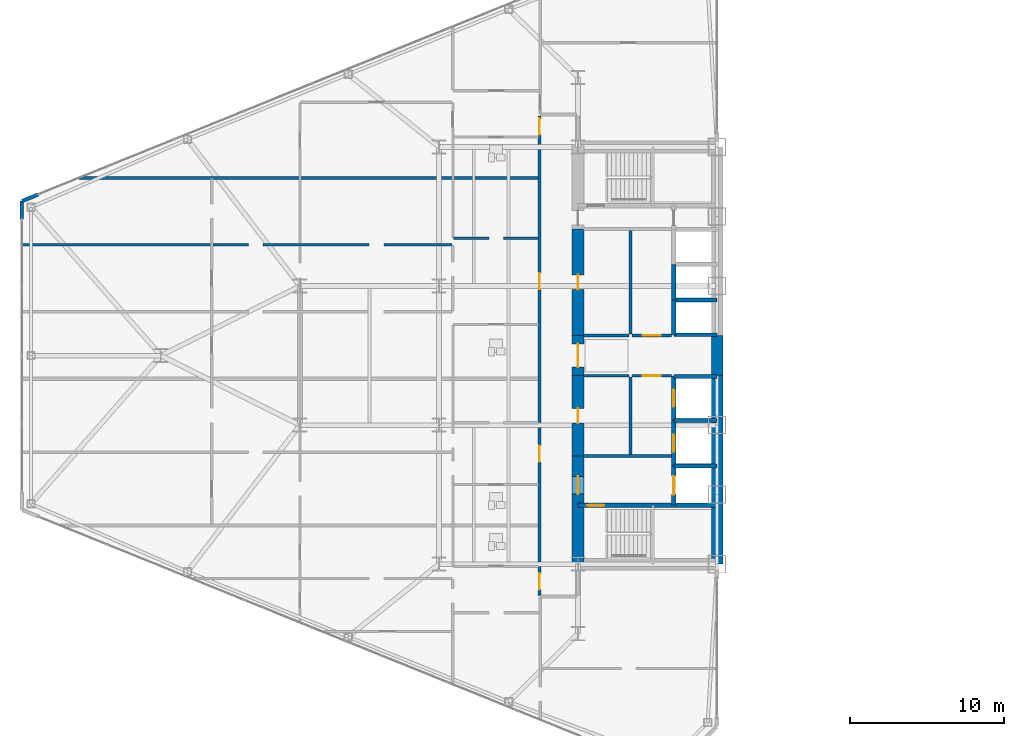
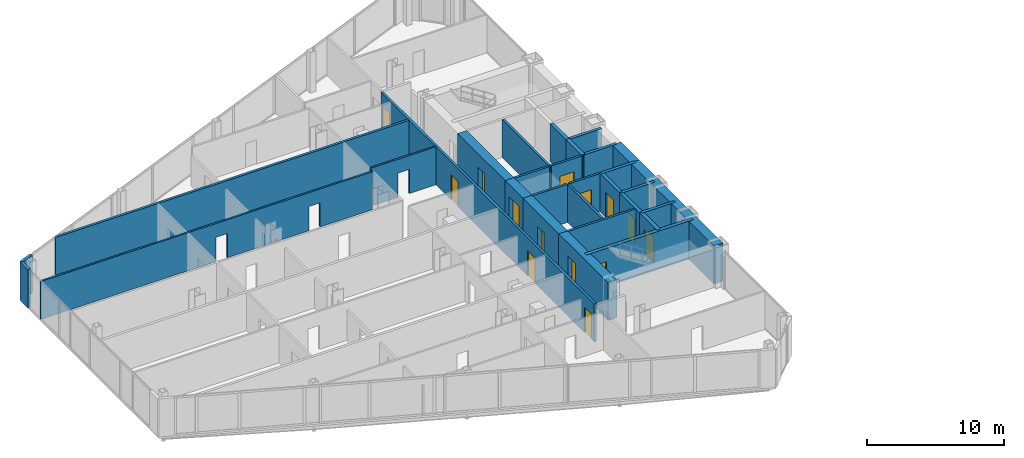
# One storey, part 18 of 25: 30 walls, 14 doors, 17 openings.
"""IFC4 building model written with IfcOpenShell, lengths in metres."""

from ifc_helpers import new_model, si_unit, direction, frame, frame_2d, origin, place, context, subcontext, project, spatial, rectangle, extrude, source, transform, mapped, material, layer, layer_set, type_object, type_shapes, element, fill, save


model = new_model("IFC4")

# Units and contexts
model_context = context("Model", 3, precision=1e-05, world=origin(), true_north=direction((0.0, 1.0)))
body_context = subcontext(model_context, "Body", "Model", "MODEL_VIEW")
ifc_project = project(units=[si_unit("LENGTHUNIT", "METRE"), si_unit("AREAUNIT", "SQUARE_METRE"), si_unit("VOLUMEUNIT", "CUBIC_METRE"), si_unit("PLANEANGLEUNIT", "RADIAN"), si_unit("MASSUNIT", "GRAM", prefix="KILO")], contexts=[model_context])

# Site, building, storey
site_placement = place(None, origin())
site = spatial("IfcSite", under=ifc_project, at=site_placement, CompositionType="ELEMENT")
building_placement = place(site_placement, origin())
building = spatial("IfcBuilding", under=site, at=building_placement, Name="Seokmaru Belvedere", CompositionType="ELEMENT")
storey_placement = place(building_placement, frame((0.0, 0.0, 40.5)))
storey = spatial("IfcBuildingStorey", under=building, at=storey_placement, Name="L10", CompositionType="ELEMENT", Elevation=40.5)

# Wall, openings
ifc_material_1 = material(Name="Fire-Rated Gypsum Shaftwall")
ifc_layer_1 = layer(ifc_material_1, 0.14990234375)
ifc_layer_set_1 = layer_set([ifc_layer_1], Name="Fire-Rated Gypsum Shaftwall")
wall_type_1 = type_object("IfcWallType", Name="Apartment Fire-Acoustic Room Partition 150", PredefinedType="PARTITIONING", material=ifc_layer_set_1)
wall_1_placement = place(storey_placement, frame((-72.534912109375, 7.169921875, 0.0), z_axis=(0.0, 0.0, 1.0), x_axis=(1.0, 0.0, 0.0)))
wall_1 = element("IfcWall", 1, at=wall_1_placement, inside=storey, type_object=wall_type_1, Name="L10 Interior Partition 028", PredefinedType="PARTITIONING", context=body_context, shape_type="SweptSolid", body=[
    extrude(rectangle(XDim=27.885009765625, YDim=0.14990234375, at=frame_2d((13.9423828125, 0.0))), origin(), (0.0, 0.0, 1.0), 3.3798828125),
])
opening_1_placement = place(wall_1_placement, frame((22.510009765625, 0.0, 0.0)))
element("IfcOpeningElement", 2, at=opening_1_placement, cuts=wall_1, Name="L10 Cased Opening 026", PredefinedType="OPENING", context=body_context, shape_type="SweptSolid", body=[
    extrude(rectangle(XDim=0.949951171875, YDim=2.14990234375, at=frame_2d((0.47509765625, 1.074951171875))), frame((0.0, 0.0849609375, 0.0), z_axis=(0.0, -1.0, 0.0), x_axis=(1.0, 0.0, 0.0)), (0.0, 0.0, 1.0), 0.169921875),
])
opening_2_placement = place(wall_1_placement, frame((14.7099609375, 0.0, 0.0)))
element("IfcOpeningElement", 3, at=opening_2_placement, cuts=wall_1, Name="L10 Cased Opening 030", PredefinedType="OPENING", context=body_context, shape_type="SweptSolid", body=[
    extrude(rectangle(XDim=0.949951171875, YDim=2.14990234375, at=frame_2d((0.47509765625, 1.074951171875))), frame((0.0, 0.0849609375, 0.0), z_axis=(0.0, -1.0, 0.0), x_axis=(1.0, 0.0, 0.0)), (0.0, 0.0, 1.0), 0.169921875),
])

# Wall, opening
wall_2_placement = place(storey_placement, frame((-44.550048828125, 7.60009765625, 0.0), z_axis=(0.0, 0.0, 1.0), x_axis=(1.0, 0.0, 0.0)))
wall_2 = element("IfcWall", 4, at=wall_2_placement, inside=storey, type_object=wall_type_1, Name="L10 Interior Partition 029", PredefinedType="PARTITIONING", context=body_context, shape_type="SweptSolid", body=[
    extrude(rectangle(XDim=5.5, YDim=0.14990234375, at=frame_2d((2.75, 0.0))), origin(), (0.0, 0.0, 1.0), 3.3798828125),
])
opening_3_placement = place(wall_2_placement, frame((2.27490234375, 0.0, 0.0)))
element("IfcOpeningElement", 5, at=opening_3_placement, cuts=wall_2, Name="L10 Cased Opening 022", PredefinedType="OPENING", context=body_context, shape_type="SweptSolid", body=[
    extrude(rectangle(XDim=0.949951171875, YDim=2.14990234375, at=frame_2d((0.47509765625, 1.074951171875))), frame((0.0, 0.0849609375, 0.0), z_axis=(0.0, -1.0, 0.0), x_axis=(1.0, 0.0, 0.0)), (0.0, 0.0, 1.0), 0.169921875),
])

# Walls
ifc_layer_2 = layer(ifc_material_1, 0.179931640625)
ifc_layer_set_2 = layer_set([ifc_layer_2], Name="Fire-Rated Gypsum Shaftwall")
wall_type_2 = type_object("IfcWallType", Name="Core Service Fire Partition 180", PredefinedType="PARTITIONING", material=ifc_layer_set_2)
wall_3_placement = place(storey_placement, frame((-36.14990234375, -6.5, 0.0), z_axis=(0.0, 0.0, 1.0), x_axis=(1.0, 0.0, 0.0)))
element("IfcWall", 6, at=wall_3_placement, inside=storey, type_object=wall_type_2, Name="L10 West Firefighting Lobby Partition", PredefinedType="PARTITIONING", context=body_context, shape_type="SweptSolid", body=[
    extrude(rectangle(XDim=5.699951171875, YDim=0.179931640625, at=frame_2d((2.85009765625, 0.0))), origin(), (0.0, 0.0, 1.0), 3.3798828125),
])
wall_4_placement = place(storey_placement, frame((-33.10009765625, -6.419921875, 0.0), z_axis=(0.0, 0.0, 1.0), x_axis=(0.0, 1.0, 0.0)))
element("IfcWall", 7, at=wall_4_placement, inside=storey, type_object=wall_type_2, Name="L10 West South Core Service Back Wall", PredefinedType="PARTITIONING", context=body_context, shape_type="SweptSolid", body=[
    extrude(rectangle(XDim=5.0400390625, YDim=0.179931640625, at=frame_2d((2.52001953125, 0.0))), origin(), (0.0, 0.0, 1.0), 3.3798828125),
])
wall_5_placement = place(storey_placement, frame((-33.10009765625, 1.3798828125, 0.0), z_axis=(0.0, 0.0, 1.0), x_axis=(0.0, 1.0, 0.0)))
element("IfcWall", 8, at=wall_5_placement, inside=storey, type_object=wall_type_2, Name="L10 West North Core Service Back Wall", PredefinedType="PARTITIONING", context=body_context, shape_type="SweptSolid", body=[
    extrude(rectangle(XDim=6.740234375, YDim=0.179931640625, at=frame_2d((3.3701171875, 0.0))), origin(), (0.0, 0.0, 1.0), 3.3798828125),
])

# Wall, opening, door
wall_6_placement = place(storey_placement, frame((-33.02001953125, -1.300048828125, 0.0), z_axis=(0.0, 0.0, 1.0), x_axis=(1.0, 0.0, 0.0)))
wall_6 = element("IfcWall", 9, at=wall_6_placement, inside=storey, type_object=wall_type_2, Name="L10 West South Lift Lobby Foyer Wall", PredefinedType="PARTITIONING", context=body_context, shape_type="SweptSolid", body=[
    extrude(rectangle(XDim=2.570068359375, YDim=0.179931640625, at=frame_2d((1.28515625, 0.0))), origin(), (0.0, 0.0, 1.0), 3.3798828125),
])
opening_4_placement = place(wall_6_placement, frame((0.7099609375, 0.0, 0.0)))
opening_4 = element("IfcOpeningElement", 10, at=opening_4_placement, cuts=wall_6, Name="Opening D02", PredefinedType="OPENING", context=body_context, shape_type="SweptSolid", body=[
    extrude(rectangle(XDim=1.14990234375, YDim=2.199951171875, at=frame_2d((0.574951171875, 1.10009765625))), frame((0.0, 0.10009765625, 0.0), z_axis=(0.0, -1.0, 0.0), x_axis=(1.0, 0.0, 0.0)), (0.0, 0.0, 1.0), 0.199951171875),
])
ifc_material_2 = material(Name="Fire-Rated Steel Leaf", Category="steel")
door_type_1 = type_object("IfcDoorType", Name="Lobby and Vestibule Fire Door 1150x2200", OperationType="NOTDEFINED", PredefinedType="DOOR", material=ifc_material_2)
shared_shape_1 = source(origin(), body_context, "Body", "SweptSolid", [
    extrude(rectangle(XDim=1.14990234375, YDim=2.199951171875, at=frame_2d((0.574951171875, 1.10009765625))), frame((0.0, 0.02490234375, 0.0), z_axis=(0.0, -1.0, 0.0), x_axis=(1.0, 0.0, 0.0)), (0.0, 0.0, 1.0), 0.050048828125),
])
type_shapes(door_type_1, [shared_shape_1])
door_1_placement = place(opening_4_placement, origin())
door_1 = element("IfcDoor", 11, at=door_1_placement, inside=storey, type_object=door_type_1, Name="L10 West South Core Foyer Door", OperationType="SINGLE_SWING_LEFT", OverallHeight=2.199951171875, OverallWidth=1.14990234375, PredefinedType="DOOR", context=body_context, shape_type="MappedRepresentation", body=[
    mapped(shared_shape_1, transform((0.0, 0.0, 0.0), scale=1.0)),
])
fill(opening_4, door_1)

wall_7_placement = place(storey_placement, frame((-33.02001953125, 1.300048828125, 0.0), z_axis=(0.0, 0.0, 1.0), x_axis=(1.0, 0.0, 0.0)))
wall_7 = element("IfcWall", 12, at=wall_7_placement, inside=storey, type_object=wall_type_2, Name="L10 West North Lift Lobby Foyer Wall", PredefinedType="PARTITIONING", context=body_context, shape_type="SweptSolid", body=[
    extrude(rectangle(XDim=2.570068359375, YDim=0.179931640625, at=frame_2d((1.28515625, 0.0))), origin(), (0.0, 0.0, 1.0), 3.3798828125),
])
opening_5_placement = place(wall_7_placement, frame((0.7099609375, 0.0, 0.0)))
opening_5 = element("IfcOpeningElement", 13, at=opening_5_placement, cuts=wall_7, Name="Opening D02", PredefinedType="OPENING", context=body_context, shape_type="SweptSolid", body=[
    extrude(rectangle(XDim=1.14990234375, YDim=2.199951171875, at=frame_2d((0.574951171875, 1.10009765625))), frame((0.0, 0.10009765625, 0.0), z_axis=(0.0, -1.0, 0.0), x_axis=(1.0, 0.0, 0.0)), (0.0, 0.0, 1.0), 0.199951171875),
])
door_2_placement = place(opening_5_placement, origin())
door_2 = element("IfcDoor", 14, at=door_2_placement, inside=storey, type_object=door_type_1, Name="L10 West North Lift Lobby Door", OperationType="SINGLE_SWING_RIGHT", OverallHeight=2.199951171875, OverallWidth=1.14990234375, PredefinedType="DOOR", context=body_context, shape_type="MappedRepresentation", body=[
    mapped(shared_shape_1, transform((0.0, 0.0, 0.0), scale=1.0)),
])
fill(opening_5, door_2)

# Walls
for number, where, z_axis, x_axis, name in (
    (15, (-36.14990234375, -1.300048828125, 0.0), (0.0, 0.0, 1.0), (1.0, 0.0, 0.0), "L10 West Foyer Side Wall S"),
    (16, (-36.14990234375, 1.300048828125, 0.0), (0.0, 0.0, 1.0), (1.0, 0.0, 0.0), "L10 West Foyer Side Wall N"),
):
    element("IfcWall", number, at=place(storey_placement, frame(where, z_axis=z_axis, x_axis=x_axis)), inside=storey, type_object=wall_type_2, Name=name, PredefinedType="PARTITIONING", context=body_context, shape_type="SweptSolid", body=[
        extrude(rectangle(XDim=2.949951171875, YDim=0.179931640625, at=frame_2d((1.47509765625, 0.0))), origin(), (0.0, 0.0, 1.0), 3.3798828125),
    ])
ifc_material_3 = material(Name="Concrete C50 (50 MPa)", Category="concrete")
ifc_layer_3 = layer(ifc_material_3, 0.25)
ifc_layer_set_3 = layer_set([ifc_layer_3], Name="Concrete C50 (50 MPa)")
wall_type_3 = type_object("IfcWallType", Name="Hoistway Transverse Concrete Divider Wall 250", PredefinedType="SHEAR", material=ifc_layer_set_3)
for number, where, z_axis, x_axis, name in (
    (17, (-30.300048828125, -7.14990234375, 0.0), (0.0, 0.0, 1.0), (1.0, 0.0, 0.0), "L10 West Hoistway Divider Core Wall 1"),
    (18, (-30.300048828125, -4.199951171875, 0.0), (0.0, 0.0, 1.0), (1.0, 0.0, 0.0), "L10 West Hoistway Divider Core Wall 2"),
    (19, (-30.300048828125, -1.35009765625, 0.0), (0.0, 0.0, 1.0), (1.0, 0.0, 0.0), "L10 West Hoistway Divider Core Wall 3"),
    (20, (-30.300048828125, 1.35009765625, 0.0), (0.0, 0.0, 1.0), (1.0, 0.0, 0.0), "L10 West Hoistway Divider Core Wall 4"),
    (21, (-30.300048828125, 3.60009765625, 0.0), (0.0, 0.0, 1.0), (1.0, 0.0, 0.0), "L10 West Hoistway Divider Core Wall 5"),
):
    element("IfcWall", number, at=place(storey_placement, frame(where, z_axis=z_axis, x_axis=x_axis)), inside=storey, type_object=wall_type_3, Name=name, PredefinedType="SHEAR", context=body_context, shape_type="SweptSolid", body=[
        extrude(rectangle(XDim=2.800048828125, YDim=0.25, at=frame_2d((1.39990234375, 0.0))), origin(), (0.0, 0.0, 1.0), 3.3798828125),
    ])
ifc_layer_4 = layer(ifc_material_1, 0.199951171875)
ifc_layer_set_4 = layer_set([ifc_layer_4], Name="Fire-Rated Gypsum Shaftwall")
wall_type_4 = type_object("IfcWallType", Name="Inter-Tenancy Fire Compartment Partition 200", PredefinedType="PARTITIONING", material=ifc_layer_set_4)
wall_8_placement = place(storey_placement, frame((-68.806884765625, 11.5, 0.0), z_axis=(0.0, 0.0, 1.0), x_axis=(1.0, 0.0, 0.0)))
element("IfcWall", 22, at=wall_8_placement, inside=storey, type_object=wall_type_4, Name="L10 Interior Partition 032", PredefinedType="PARTITIONING", context=body_context, shape_type="SweptSolid", body=[
    extrude(rectangle(XDim=29.726806640625, YDim=0.199951171875, at=frame_2d((14.86328125, 0.0))), origin(), (0.0, 0.0, 1.0), 3.3798828125),
])

# Wall, openings, doors
wall_9_placement = place(storey_placement, frame((-39.0, -15.514892578125, 0.0), z_axis=(0.0, 0.0, 1.0), x_axis=(0.0, 1.0, 0.0)))
wall_9 = element("IfcWall", 23, at=wall_9_placement, inside=storey, type_object=wall_type_4, Name="L10 Interior Partition 052", PredefinedType="PARTITIONING", context=body_context, shape_type="SweptSolid", body=[
    extrude(rectangle(XDim=31.02978515625, YDim=0.199951171875, at=frame_2d((15.514892578125, 0.0))), origin(), (0.0, 0.0, 1.0), 3.3798828125),
])
opening_6_placement = place(wall_9_placement, frame((0.367431640625, 0.0, 0.0)))
opening_6 = element("IfcOpeningElement", 24, at=opening_6_placement, cuts=wall_9, Name="Opening D03", PredefinedType="OPENING", context=body_context, shape_type="SweptSolid", body=[
    extrude(rectangle(XDim=1.050048828125, YDim=2.25, at=frame_2d((0.52490234375, 1.125))), frame((0.0, 0.10986328125, 0.0), z_axis=(0.0, -1.0, 0.0), x_axis=(1.0, 0.0, 0.0)), (0.0, 0.0, 1.0), 0.219970703125),
])
opening_7_placement = place(wall_9_placement, frame((8.638427734375, 0.0, 0.0)))
opening_7 = element("IfcOpeningElement", 25, at=opening_7_placement, cuts=wall_9, Name="Opening D03", PredefinedType="OPENING", context=body_context, shape_type="SweptSolid", body=[
    extrude(rectangle(XDim=1.050048828125, YDim=2.25, at=frame_2d((0.52490234375, 1.125))), frame((0.0, 0.10986328125, 0.0), z_axis=(0.0, -1.0, 0.0), x_axis=(1.0, 0.0, 0.0)), (0.0, 0.0, 1.0), 0.219970703125),
])
opening_8_placement = place(wall_9_placement, frame((19.794921875, 0.0, 0.0)))
opening_8 = element("IfcOpeningElement", 26, at=opening_8_placement, cuts=wall_9, Name="Opening D03", PredefinedType="OPENING", context=body_context, shape_type="SweptSolid", body=[
    extrude(rectangle(XDim=1.050048828125, YDim=2.25, at=frame_2d((0.52490234375, 1.125))), frame((0.0, 0.10986328125, 0.0), z_axis=(0.0, -1.0, 0.0), x_axis=(1.0, 0.0, 0.0)), (0.0, 0.0, 1.0), 0.219970703125),
])
opening_9_placement = place(wall_9_placement, frame((29.820068359375, 0.0, 0.0)))
opening_9 = element("IfcOpeningElement", 27, at=opening_9_placement, cuts=wall_9, Name="Opening D03", PredefinedType="OPENING", context=body_context, shape_type="SweptSolid", body=[
    extrude(rectangle(XDim=1.050048828125, YDim=2.25, at=frame_2d((0.52490234375, 1.125))), frame((0.0, 0.10986328125, 0.0), z_axis=(0.0, -1.0, 0.0), x_axis=(1.0, 0.0, 0.0)), (0.0, 0.0, 1.0), 0.219970703125),
])
door_type_2 = type_object("IfcDoorType", Name="Apartment Entrance Fire Door 1050x2250", OperationType="NOTDEFINED", PredefinedType="DOOR", material=ifc_material_2)
shared_shape_2 = source(origin(), body_context, "Body", "SweptSolid", [
    extrude(rectangle(XDim=1.050048828125, YDim=2.25, at=frame_2d((0.52490234375, 1.125))), frame((0.0, 0.02490234375, 0.0), z_axis=(0.0, -1.0, 0.0), x_axis=(1.0, 0.0, 0.0)), (0.0, 0.0, 1.0), 0.050048828125),
])
type_shapes(door_type_2, [shared_shape_2])
door_3_placement = place(opening_6_placement, origin())
door_3 = element("IfcDoor", 28, at=door_3_placement, inside=storey, type_object=door_type_2, Name="L10 Interior Door 001", OperationType="SINGLE_SWING_RIGHT", OverallHeight=2.25, OverallWidth=1.050048828125, PredefinedType="DOOR", context=body_context, shape_type="MappedRepresentation", body=[
    mapped(shared_shape_2, transform((0.0, 0.0, 0.0), scale=1.0)),
])
fill(opening_6, door_3)
door_4_placement = place(opening_7_placement, origin())
door_4 = element("IfcDoor", 29, at=door_4_placement, inside=storey, type_object=door_type_2, Name="L10 Interior Door 011", OperationType="SINGLE_SWING_LEFT", OverallHeight=2.25, OverallWidth=1.050048828125, PredefinedType="DOOR", context=body_context, shape_type="MappedRepresentation", body=[
    mapped(shared_shape_2, transform((0.0, 0.0, 0.0), scale=1.0)),
])
fill(opening_7, door_4)
door_5_placement = place(opening_8_placement, origin())
door_5 = element("IfcDoor", 30, at=door_5_placement, inside=storey, type_object=door_type_2, Name="L10 Interior Door 020", OperationType="SINGLE_SWING_RIGHT", OverallHeight=2.25, OverallWidth=1.050048828125, PredefinedType="DOOR", context=body_context, shape_type="MappedRepresentation", body=[
    mapped(shared_shape_2, transform((0.0, 0.0, 0.0), scale=1.0)),
])
fill(opening_8, door_5)
door_6_placement = place(opening_9_placement, origin())
door_6 = element("IfcDoor", 31, at=door_6_placement, inside=storey, type_object=door_type_2, Name="L10 Interior Door 032", OperationType="SINGLE_SWING_LEFT", OverallHeight=2.25, OverallWidth=1.050048828125, PredefinedType="DOOR", context=body_context, shape_type="MappedRepresentation", body=[
    mapped(shared_shape_2, transform((0.0, 0.0, 0.0), scale=1.0)),
])
fill(opening_9, door_6)

# Wall, opening, door
ifc_layer_5 = layer(ifc_material_3, 0.300048828125)
ifc_layer_set_5 = layer_set([ifc_layer_5], Name="Concrete C50 (50 MPa)")
wall_type_5 = type_object("IfcWallType", Name="Internal Core Stair and Hoistway Wall 300", PredefinedType="SHEAR", material=ifc_layer_set_5)
wall_10_placement = place(storey_placement, frame((-36.5, -9.699951171875, 0.0), z_axis=(0.0, 0.0, 1.0), x_axis=(1.0, 0.0, 0.0)))
wall_10 = element("IfcWall", 32, at=wall_10_placement, inside=storey, type_object=wall_type_5, Name="L10 West Stair ST-1 Enclosure Wall", PredefinedType="SHEAR", context=body_context, shape_type="SweptSolid", body=[
    extrude(rectangle(XDim=9.0, YDim=0.300048828125, at=frame_2d((4.5, 0.0))), origin(), (0.0, 0.0, 1.0), 3.3798828125),
])
opening_10_placement = place(wall_10_placement, frame((0.60009765625, 0.0, 0.0)))
opening_10 = element("IfcOpeningElement", 33, at=opening_10_placement, cuts=wall_10, Name="Opening D01", PredefinedType="OPENING", context=body_context, shape_type="SweptSolid", body=[
    extrude(rectangle(XDim=1.10009765625, YDim=2.199951171875, at=frame_2d((0.550048828125, 1.10009765625))), frame((0.0, 0.16015625, 0.0), z_axis=(0.0, -1.0, 0.0), x_axis=(1.0, 0.0, 0.0)), (0.0, 0.0, 1.0), 0.320068359375),
])
door_type_3 = type_object("IfcDoorType", Name="Special Escape Stair Smokeproof Fire Door 1100x2200", OperationType="NOTDEFINED", PredefinedType="DOOR", material=ifc_material_2)
shared_shape_3 = source(origin(), body_context, "Body", "SweptSolid", [
    extrude(rectangle(XDim=1.10009765625, YDim=2.199951171875, at=frame_2d((0.550048828125, 1.10009765625))), frame((0.0, 0.02490234375, 0.0), z_axis=(0.0, -1.0, 0.0), x_axis=(1.0, 0.0, 0.0)), (0.0, 0.0, 1.0), 0.050048828125),
])
type_shapes(door_type_3, [shared_shape_3])
door_7_placement = place(opening_10_placement, frame((1.10009765625, 0.0, 0.0), z_axis=(0.0, 0.0, 1.0), x_axis=(-1.0, 0.0, 0.0)))
door_7 = element("IfcDoor", 34, at=door_7_placement, inside=storey, type_object=door_type_3, Name="L10 West Special Escape Stair ST-1 Door", OperationType="SINGLE_SWING_LEFT", OverallHeight=2.199951171875, OverallWidth=1.10009765625, PredefinedType="DOOR", context=body_context, shape_type="MappedRepresentation", body=[
    mapped(shared_shape_3, transform((0.0, 0.0, 0.0), scale=1.0)),
])
fill(opening_10, door_7)

wall_11_placement = place(storey_placement, frame((-30.300048828125, -9.679931640625, 0.0), z_axis=(0.0, 0.0, 1.0), x_axis=(0.0, 1.0, 0.0)))
wall_11 = element("IfcWall", 35, at=wall_11_placement, inside=storey, type_object=wall_type_5, Name="L10 West Firefighting Lift Shaft Front Wall", PredefinedType="SHEAR", context=body_context, shape_type="SweptSolid", body=[
    extrude(rectangle(XDim=2.559814453125, YDim=0.300048828125, at=frame_2d((1.27978515625, 0.0))), origin(), (0.0, 0.0, 1.0), 3.3798828125),
])
opening_11_placement = place(wall_11_placement, frame((0.679931640625, 0.0, 0.0)))
opening_11 = element("IfcOpeningElement", 36, at=opening_11_placement, cuts=wall_11, Name="Opening LD2", PredefinedType="OPENING", context=body_context, shape_type="SweptSolid", body=[
    extrude(rectangle(XDim=1.199951171875, YDim=2.25, at=frame_2d((0.60009765625, 1.125))), frame((0.0, 0.16015625, 0.0), z_axis=(0.0, -1.0, 0.0), x_axis=(1.0, 0.0, 0.0)), (0.0, 0.0, 1.0), 0.320068359375),
])
ifc_material_4 = material(Name="Stainless Steel 316", Category="steel")
door_type_4 = type_object("IfcDoorType", Name="Firefighting Lift Sliding Landing Door 1200x2250", OperationType="DOUBLE_DOOR_SLIDING", PredefinedType="DOOR", material=ifc_material_4)
shared_shape_4 = source(origin(), body_context, "Body", "SweptSolid", [
    extrude(rectangle(XDim=1.199951171875, YDim=2.25, at=frame_2d((0.60009765625, 1.125))), frame((0.0, 0.02490234375, 0.0), z_axis=(0.0, -1.0, 0.0), x_axis=(1.0, 0.0, 0.0)), (0.0, 0.0, 1.0), 0.050048828125),
])
type_shapes(door_type_4, [shared_shape_4])
door_8_placement = place(opening_11_placement, origin())
door_8 = element("IfcDoor", 37, at=door_8_placement, inside=storey, type_object=door_type_4, Name="L10 West Firefighting Lift Landing Door", OperationType="DOUBLE_DOOR_SLIDING", OverallHeight=2.25, OverallWidth=1.199951171875, PredefinedType="DOOR", context=body_context, shape_type="MappedRepresentation", body=[
    mapped(shared_shape_4, transform((0.0, 0.0, 0.0), scale=1.0)),
])
fill(opening_11, door_8)

wall_12_placement = place(storey_placement, frame((-30.300048828125, -7.1201171875, 0.0), z_axis=(0.0, 0.0, 1.0), x_axis=(0.0, 1.0, 0.0)))
wall_12 = element("IfcWall", 38, at=wall_12_placement, inside=storey, type_object=wall_type_5, Name="L10 West Low-Rise Lift PL-1 Front Wall", PredefinedType="SHEAR", context=body_context, shape_type="SweptSolid", body=[
    extrude(rectangle(XDim=2.920166015625, YDim=0.300048828125, at=frame_2d((1.4599609375, 0.0))), origin(), (0.0, 0.0, 1.0), 3.3798828125),
])
opening_12_placement = place(wall_12_placement, frame((0.909912109375, 0.0, 0.0)))
opening_12 = element("IfcOpeningElement", 39, at=opening_12_placement, cuts=wall_12, Name="Opening LD1", PredefinedType="OPENING", context=body_context, shape_type="SweptSolid", body=[
    extrude(rectangle(XDim=1.10009765625, YDim=2.199951171875, at=frame_2d((0.550048828125, 1.10009765625))), frame((0.0, 0.16015625, 0.0), z_axis=(0.0, -1.0, 0.0), x_axis=(1.0, 0.0, 0.0)), (0.0, 0.0, 1.0), 0.320068359375),
])
door_type_5 = type_object("IfcDoorType", Name="Passenger Lift Sliding Landing Door 1100x2200", OperationType="DOUBLE_DOOR_SLIDING", PredefinedType="DOOR", material=ifc_material_4)
shared_shape_5 = source(origin(), body_context, "Body", "SweptSolid", [
    extrude(rectangle(XDim=1.10009765625, YDim=2.199951171875, at=frame_2d((0.550048828125, 1.10009765625))), frame((0.0, 0.02490234375, 0.0), z_axis=(0.0, -1.0, 0.0), x_axis=(1.0, 0.0, 0.0)), (0.0, 0.0, 1.0), 0.050048828125),
])
type_shapes(door_type_5, [shared_shape_5])
door_9_placement = place(opening_12_placement, origin())
door_9 = element("IfcDoor", 40, at=door_9_placement, inside=storey, type_object=door_type_5, Name="L10 West Low-Rise Lift PL-1 Landing Door", OperationType="DOUBLE_DOOR_SLIDING", OverallHeight=2.199951171875, OverallWidth=1.10009765625, PredefinedType="DOOR", context=body_context, shape_type="MappedRepresentation", body=[
    mapped(shared_shape_5, transform((0.0, 0.0, 0.0), scale=1.0)),
])
fill(opening_12, door_9)

wall_13_placement = place(storey_placement, frame((-30.300048828125, -4.199951171875, 0.0), z_axis=(0.0, 0.0, 1.0), x_axis=(0.0, 1.0, 0.0)))
wall_13 = element("IfcWall", 41, at=wall_13_placement, inside=storey, type_object=wall_type_5, Name="L10 West Low-Rise Lift PL-2 Front Wall", PredefinedType="SHEAR", context=body_context, shape_type="SweptSolid", body=[
    extrude(rectangle(XDim=2.8798828125, YDim=0.300048828125, at=frame_2d((1.43994140625, 0.0))), origin(), (0.0, 0.0, 1.0), 3.3798828125),
])
opening_13_placement = place(wall_13_placement, frame((0.889892578125, 0.0, 0.0)))
opening_13 = element("IfcOpeningElement", 42, at=opening_13_placement, cuts=wall_13, Name="Opening LD1", PredefinedType="OPENING", context=body_context, shape_type="SweptSolid", body=[
    extrude(rectangle(XDim=1.10009765625, YDim=2.199951171875, at=frame_2d((0.550048828125, 1.10009765625))), frame((0.0, 0.16015625, 0.0), z_axis=(0.0, -1.0, 0.0), x_axis=(1.0, 0.0, 0.0)), (0.0, 0.0, 1.0), 0.320068359375),
])
door_10_placement = place(opening_13_placement, origin())
door_10 = element("IfcDoor", 43, at=door_10_placement, inside=storey, type_object=door_type_5, Name="L10 West Low-Rise Lift PL-2 Landing Door", OperationType="DOUBLE_DOOR_SLIDING", OverallHeight=2.199951171875, OverallWidth=1.10009765625, PredefinedType="DOOR", context=body_context, shape_type="MappedRepresentation", body=[
    mapped(shared_shape_5, transform((0.0, 0.0, 0.0), scale=1.0)),
])
fill(opening_13, door_10)

# Walls
wall_14_placement = place(storey_placement, frame((-30.300048828125, 1.320068359375, 0.0), z_axis=(0.0, 0.0, 1.0), x_axis=(0.0, 1.0, 0.0)))
element("IfcWall", 44, at=wall_14_placement, inside=storey, type_object=wall_type_5, Name="L10 West North Hoistway Wall PH1", PredefinedType="SHEAR", context=body_context, shape_type="SweptSolid", body=[
    extrude(rectangle(XDim=2.280029296875, YDim=0.300048828125, at=frame_2d((1.14013671875, 0.0))), origin(), (0.0, 0.0, 1.0), 3.3798828125),
])
wall_15_placement = place(storey_placement, frame((-30.300048828125, 3.60009765625, 0.0), z_axis=(0.0, 0.0, 1.0), x_axis=(0.0, 1.0, 0.0)))
element("IfcWall", 45, at=wall_15_placement, inside=storey, type_object=wall_type_5, Name="L10 West North Hoistway Wall PH2", PredefinedType="SHEAR", context=body_context, shape_type="SweptSolid", body=[
    extrude(rectangle(XDim=2.2998046875, YDim=0.300048828125, at=frame_2d((1.14990234375, 0.0))), origin(), (0.0, 0.0, 1.0), 3.3798828125),
])
ifc_material_5 = material(Name="Concrete C60 (60 MPa)", Category="concrete")
ifc_layer_6 = layer(ifc_material_5, 0.75)
ifc_layer_set_6 = layer_set([ifc_layer_6], Name="Concrete C60 (60 MPa)")
wall_type_6 = type_object("IfcWallType", Name="Lower Tower Reinforced Concrete Core Wall 750", PredefinedType="SHEAR", material=ifc_layer_set_6)
wall_16_placement = place(storey_placement, frame((-27.5, -13.5, 0.0), z_axis=(0.0, 0.0, 1.0), x_axis=(0.0, 1.0, 0.0)))
element("IfcWall", 46, at=wall_16_placement, inside=storey, type_object=wall_type_6, Name="L10 West Portal Spine Core Wall South", PredefinedType="SHEAR", context=body_context, shape_type="SweptSolid", body=[
    extrude(rectangle(XDim=12.199951171875, YDim=0.75, at=frame_2d((6.10009765625, 0.0))), origin(), (0.0, 0.0, 1.0), 3.3798828125),
])
wall_17_placement = place(storey_placement, frame((-27.5, -1.300048828125, 0.0), z_axis=(0.0, 0.0, 1.0), x_axis=(0.0, 1.0, 0.0)))
element("IfcWall", 47, at=wall_17_placement, inside=storey, type_object=wall_type_6, Name="L10 West Portal Spine Core Wall Center", PredefinedType="SHEAR", context=body_context, shape_type="SweptSolid", body=[
    extrude(rectangle(XDim=2.60009765625, YDim=0.75, at=frame_2d((1.300048828125, 0.0))), origin(), (0.0, 0.0, 1.0), 3.3798828125),
])

# Wall, opening, door
wall_18_placement = place(storey_placement, frame((-36.5, -13.64990234375, 0.0), z_axis=(0.0, 0.0, 1.0), x_axis=(0.0, 1.0, 0.0)))
wall_18 = element("IfcWall", 48, at=wall_18_placement, inside=storey, type_object=wall_type_6, Name="L10 West West Core Wall FF", PredefinedType="SHEAR", context=body_context, shape_type="SweptSolid", body=[
    extrude(rectangle(XDim=7.14990234375, YDim=0.75, at=frame_2d((3.574951171875, 0.0))), origin(), (0.0, 0.0, 1.0), 3.3798828125),
])
opening_14_placement = place(wall_18_placement, frame((4.675048828125, 0.0, 0.0)))
opening_14 = element("IfcOpeningElement", 49, at=opening_14_placement, cuts=wall_18, Name="Opening D02", PredefinedType="OPENING", context=body_context, shape_type="SweptSolid", body=[
    extrude(rectangle(XDim=1.14990234375, YDim=2.199951171875, at=frame_2d((0.574951171875, 1.10009765625))), frame((0.0, 0.385009765625, 0.0), z_axis=(0.0, -1.0, 0.0), x_axis=(1.0, 0.0, 0.0)), (0.0, 0.0, 1.0), 0.77001953125),
])
door_11_placement = place(opening_14_placement, frame((1.14990234375, 0.0, 0.0), z_axis=(0.0, 0.0, 1.0), x_axis=(-1.0, 0.0, 0.0)))
door_11 = element("IfcDoor", 50, at=door_11_placement, inside=storey, type_object=door_type_1, Name="L10 West Firefighting Lobby Door", OperationType="SINGLE_SWING_LEFT", OverallHeight=2.199951171875, OverallWidth=1.14990234375, PredefinedType="DOOR", context=body_context, shape_type="MappedRepresentation", body=[
    mapped(shared_shape_1, transform((0.0, 0.0, 0.0), scale=1.0)),
])
fill(opening_14, door_11)

wall_19_placement = place(storey_placement, frame((-36.5, -1.300048828125, 0.0), z_axis=(0.0, 0.0, 1.0), x_axis=(0.0, 1.0, 0.0)))
wall_19 = element("IfcWall", 51, at=wall_19_placement, inside=storey, type_object=wall_type_6, Name="L10 West West Core Wall FOY", PredefinedType="SHEAR", context=body_context, shape_type="SweptSolid", body=[
    extrude(rectangle(XDim=2.60009765625, YDim=0.75, at=frame_2d((1.300048828125, 0.0))), origin(), (0.0, 0.0, 1.0), 3.3798828125),
])
opening_15_placement = place(wall_19_placement, frame((0.550048828125, 0.0, 0.0)))
opening_15 = element("IfcOpeningElement", 52, at=opening_15_placement, cuts=wall_19, Name="Opening D08", PredefinedType="OPENING", context=body_context, shape_type="SweptSolid", body=[
    extrude(rectangle(XDim=1.5, YDim=2.300048828125, at=frame_2d((0.75, 1.14990234375))), frame((0.0, 0.385009765625, 0.0), z_axis=(0.0, -1.0, 0.0), x_axis=(1.0, 0.0, 0.0)), (0.0, 0.0, 1.0), 0.77001953125),
])
door_type_6 = type_object("IfcDoorType", Name="Cross-Corridor Compartment Double Fire Door 1500x2300", OperationType="DOUBLE_SWING_LEFT", PredefinedType="DOOR", material=ifc_material_2)
shared_shape_6 = source(origin(), body_context, "Body", "SweptSolid", [
    extrude(rectangle(XDim=1.5, YDim=2.300048828125, at=frame_2d((0.75, 1.14990234375))), frame((0.0, 0.02490234375, 0.0), z_axis=(0.0, -1.0, 0.0), x_axis=(1.0, 0.0, 0.0)), (0.0, 0.0, 1.0), 0.050048828125),
])
type_shapes(door_type_6, [shared_shape_6])
door_12_placement = place(opening_15_placement, origin())
door_12 = element("IfcDoor", 53, at=door_12_placement, inside=storey, type_object=door_type_6, Name="L10 West Core Foyer Compartment Door", OperationType="DOUBLE_SWING_LEFT", OverallHeight=2.300048828125, OverallWidth=1.5, PredefinedType="DOOR", context=body_context, shape_type="MappedRepresentation", body=[
    mapped(shared_shape_6, transform((0.0, 0.0, 0.0), scale=1.0)),
])
fill(opening_15, door_12)

wall_20_placement = place(storey_placement, frame((-36.5, -6.5, 0.0), z_axis=(0.0, 0.0, 1.0), x_axis=(0.0, 1.0, 0.0)))
wall_20 = element("IfcWall", 54, at=wall_20_placement, inside=storey, type_object=wall_type_6, Name="L10 West West Core Wall CS1", PredefinedType="SHEAR", context=body_context, shape_type="SweptSolid", body=[
    extrude(rectangle(XDim=5.199951171875, YDim=0.75, at=frame_2d((2.60009765625, 0.0))), origin(), (0.0, 0.0, 1.0), 3.3798828125),
])
opening_16_placement = place(wall_20_placement, frame((2.125, 0.0, 0.0)))
opening_16 = element("IfcOpeningElement", 55, at=opening_16_placement, cuts=wall_20, Name="Opening D04", PredefinedType="OPENING", context=body_context, shape_type="SweptSolid", body=[
    extrude(rectangle(XDim=0.949951171875, YDim=2.14990234375, at=frame_2d((0.47509765625, 1.074951171875))), frame((0.0, 0.385009765625, 0.0), z_axis=(0.0, -1.0, 0.0), x_axis=(1.0, 0.0, 0.0)), (0.0, 0.0, 1.0), 0.77001953125),
])
door_type_7 = type_object("IfcDoorType", Name="Core Service Room Fire Door 950x2150", OperationType="NOTDEFINED", PredefinedType="DOOR", material=ifc_material_2)
shared_shape_7 = source(origin(), body_context, "Body", "SweptSolid", [
    extrude(rectangle(XDim=0.949951171875, YDim=2.14990234375, at=frame_2d((0.47509765625, 1.074951171875))), frame((0.0, 0.02490234375, 0.0), z_axis=(0.0, -1.0, 0.0), x_axis=(1.0, 0.0, 0.0)), (0.0, 0.0, 1.0), 0.050048828125),
])
type_shapes(door_type_7, [shared_shape_7])
door_13_placement = place(opening_16_placement, origin())
door_13 = element("IfcDoor", 56, at=door_13_placement, inside=storey, type_object=door_type_7, Name="L10 West Core Service Room Door 1", OperationType="SINGLE_SWING_LEFT", OverallHeight=2.14990234375, OverallWidth=0.949951171875, PredefinedType="DOOR", context=body_context, shape_type="MappedRepresentation", body=[
    mapped(shared_shape_7, transform((0.0, 0.0, 0.0), scale=1.0)),
])
fill(opening_16, door_13)

wall_21_placement = place(storey_placement, frame((-36.5, 1.300048828125, 0.0), z_axis=(0.0, 0.0, 1.0), x_axis=(0.0, 1.0, 0.0)))
wall_21 = element("IfcWall", 57, at=wall_21_placement, inside=storey, type_object=wall_type_6, Name="L10 West West Core Wall CS2", PredefinedType="SHEAR", context=body_context, shape_type="SweptSolid", body=[
    extrude(rectangle(XDim=6.89990234375, YDim=0.75, at=frame_2d((3.449951171875, 0.0))), origin(), (0.0, 0.0, 1.0), 3.3798828125),
])
opening_17_placement = place(wall_21_placement, frame((2.97509765625, 0.0, 0.0)))
opening_17 = element("IfcOpeningElement", 58, at=opening_17_placement, cuts=wall_21, Name="Opening D04", PredefinedType="OPENING", context=body_context, shape_type="SweptSolid", body=[
    extrude(rectangle(XDim=0.949951171875, YDim=2.14990234375, at=frame_2d((0.47509765625, 1.074951171875))), frame((0.0, 0.385009765625, 0.0), z_axis=(0.0, -1.0, 0.0), x_axis=(1.0, 0.0, 0.0)), (0.0, 0.0, 1.0), 0.77001953125),
])
door_14_placement = place(opening_17_placement, origin())
door_14 = element("IfcDoor", 59, at=door_14_placement, inside=storey, type_object=door_type_7, Name="L10 West Core Service Room Door 2", OperationType="SINGLE_SWING_RIGHT", OverallHeight=2.14990234375, OverallWidth=0.949951171875, PredefinedType="DOOR", context=body_context, shape_type="MappedRepresentation", body=[
    mapped(shared_shape_7, transform((0.0, 0.0, 0.0), scale=1.0)),
])
fill(opening_17, door_14)

# Walls
ifc_material_6 = material(Name="Anodised Bronze Aluminium", Category="aluminium")
ifc_layer_7 = layer(ifc_material_6, 0.239990234375)
ifc_layer_set_7 = layer_set([ifc_layer_7], Name="Anodised Bronze Aluminium")
wall_type_7 = type_object("IfcWallType", Name="Tower Corner Spandrel Closure Wall 240", PredefinedType="SOLIDWALL", material=ifc_layer_set_7)
for number, where, z_axis, x_axis, name in (
    (60, (-71.43408203125, 10.431396484375, 0.0), (0.0, 0.0, 1.0), (-0.927007103665, -0.375043770452, 0.0), "L10 W Corner Closure Pier 3B"),
    (61, (-72.5, 9.989990234375, 0.0), (0.0, 0.0, 1.0), (0.0, -1.0, 0.0), "L10 W Corner Closure Pier 4A"),
):
    element("IfcWall", number, at=place(storey_placement, frame(where, z_axis=z_axis, x_axis=x_axis)), inside=storey, type_object=wall_type_7, Name=name, PredefinedType="SOLIDWALL", context=body_context, shape_type="SweptSolid", body=[
        extrude(rectangle(XDim=1.139892578125, YDim=0.239990234375, at=frame_2d((0.56982421875, 0.0))), origin(), (0.0, 0.0, 1.0), 3.3798828125),
    ])

save(model, "model.ifc")
